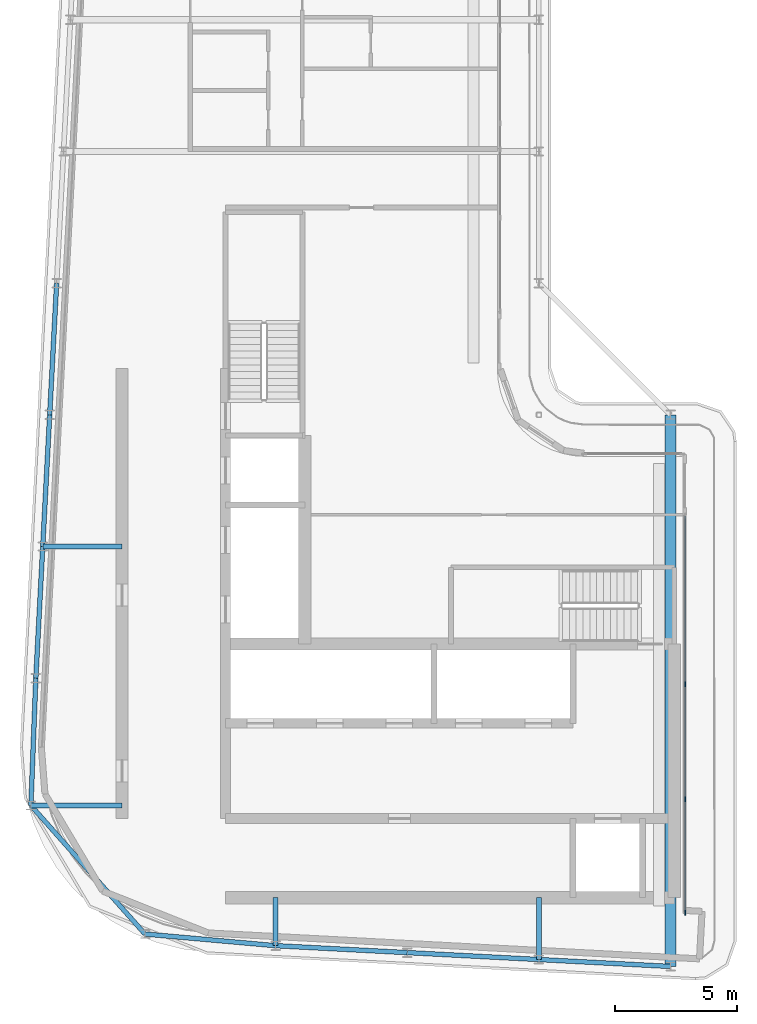
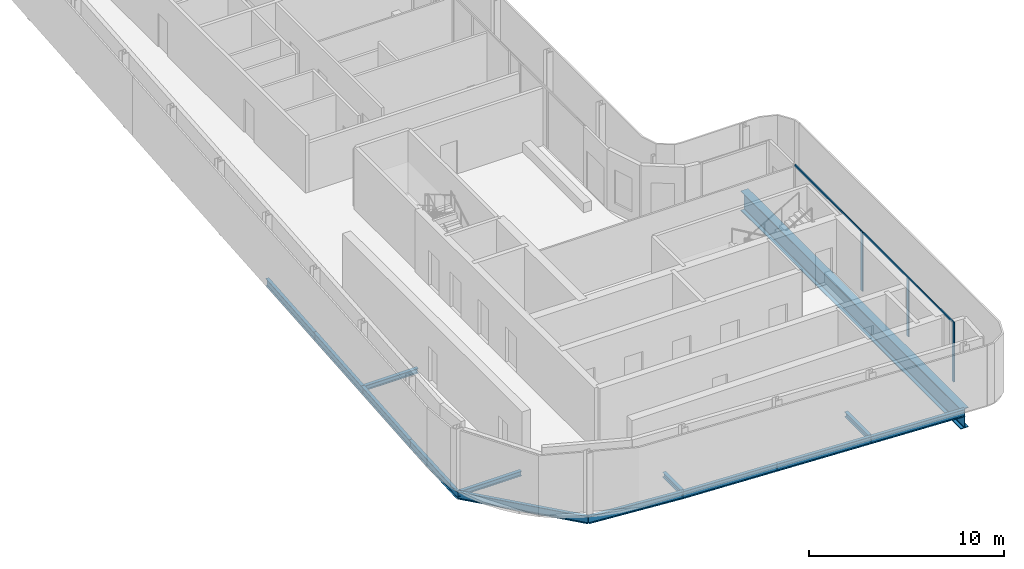
# One storey, part 4 of 18: 14 beams, 5 members, 2 elements without a shape of their own.
"""IFC4 building model written with IfcOpenShell, lengths in metres."""

from ifc_helpers import new_model, si_unit, direction, frame, origin, origin_2d, place, context, subcontext, project, spatial, rectangle, i_section, extrude, material, layer, layer_set, material_profile, profile_set, type_object, element, aggregate, save


model = new_model("IFC4")

# Units and contexts
model_context = context("Model", 3, precision=1e-05, world=origin(), true_north=direction((0.0, 1.0)))
body_context = subcontext(model_context, "Body", "Model", "MODEL_VIEW")
ifc_project = project(units=[si_unit("LENGTHUNIT", "METRE"), si_unit("AREAUNIT", "SQUARE_METRE"), si_unit("VOLUMEUNIT", "CUBIC_METRE"), si_unit("PLANEANGLEUNIT", "RADIAN"), si_unit("MASSUNIT", "GRAM", prefix="KILO")], contexts=[model_context])

# Site, building, storey
site_placement = place(None, origin())
site = spatial("IfcSite", under=ifc_project, at=site_placement, CompositionType="ELEMENT")
building_placement = place(site_placement, origin())
building = spatial("IfcBuilding", under=site, at=building_placement, Name="Kheshtan School and Residences Tower", CompositionType="ELEMENT")
storey_placement = place(building_placement, frame((0.0, 0.0, 373.39990234375)))
storey = spatial("IfcBuildingStorey", under=building, at=storey_placement, Name="L88", CompositionType="ELEMENT", Elevation=373.39990234375)

# Beams
ifc_material_1 = material(Name="Steel ASTM A992 Grade 50", Category="steel")
ifc_material_profile_1 = material_profile(ifc_material_1, i_section(OverallWidth=0.202880859375, OverallDepth=0.302978515625, WebThickness=0.007568359375, FlangeThickness=0.01318359375, FilletRadius=0.009033203125, at=origin_2d()), Name="W310x60")
ifc_profile_set_1 = profile_set([ifc_material_profile_1], Name="Steel ASTM A992 Grade 50")
beam_type_1 = type_object("IfcBeamType", Name="Beam FB1 W310x60 ASTM A992 Grade 50", PredefinedType="BEAM", material=ifc_profile_set_1)
beam_1_placement = place(storey_placement, frame((47.60009765625, 23.263916015625, -0.301513671875), z_axis=(0.0, 1.0, 0.0), x_axis=(-1.0, 0.0, 0.0)))
element("IfcBeam", 1, at=beam_1_placement, inside=storey, type_object=beam_type_1, Name="Floor beam C020", PredefinedType="BEAM", context=body_context, shape_type="SweptSolid", body=[
    extrude(i_section(OverallWidth=0.202880859375, OverallDepth=0.302978515625, WebThickness=0.007568359375, FlangeThickness=0.01318359375, FilletRadius=0.009033203125, at=origin_2d()), origin(), (0.0, 0.0, 1.0), 2.5361328125),
])
beam_2_placement = place(storey_placement, frame((36.800048828125, 23.83203125, -0.301513671875), z_axis=(0.0, 1.0, 0.0), x_axis=(-1.0, 0.0, 0.0)))
element("IfcBeam", 2, at=beam_2_placement, inside=storey, type_object=beam_type_1, Name="Floor beam C022", PredefinedType="BEAM", context=body_context, shape_type="SweptSolid", body=[
    extrude(i_section(OverallWidth=0.202880859375, OverallDepth=0.302978515625, WebThickness=0.007568359375, FlangeThickness=0.01318359375, FilletRadius=0.009033203125, at=origin_2d()), origin(), (0.0, 0.0, 1.0), 1.968017578125),
])
beam_3_placement = place(storey_placement, frame((26.76708984375, 29.58203125, -0.301513671875), z_axis=(1.0, 0.0, 0.0), x_axis=(0.0, 1.0, 0.0)))
element("IfcBeam", 3, at=beam_3_placement, inside=storey, type_object=beam_type_1, Name="Floor beam C048", PredefinedType="BEAM", context=body_context, shape_type="SweptSolid", body=[
    extrude(i_section(OverallWidth=0.202880859375, OverallDepth=0.302978515625, WebThickness=0.007568359375, FlangeThickness=0.01318359375, FilletRadius=0.009033203125, at=origin_2d()), origin(), (0.0, 0.0, 1.0), 3.73291015625),
])
beam_4_placement = place(storey_placement, frame((27.2529296875, 40.199951171875, -0.301513671875), z_axis=(1.0, 0.0, 0.0), x_axis=(0.0, 1.0, 0.0)))
element("IfcBeam", 4, at=beam_4_placement, inside=storey, type_object=beam_type_1, Name="Floor beam C056", PredefinedType="BEAM", context=body_context, shape_type="SweptSolid", body=[
    extrude(i_section(OverallWidth=0.202880859375, OverallDepth=0.302978515625, WebThickness=0.007568359375, FlangeThickness=0.01318359375, FilletRadius=0.009033203125, at=origin_2d()), origin(), (0.0, 0.0, 1.0), 3.2470703125),
])
ifc_material_profile_2 = material_profile(ifc_material_1, i_section(OverallWidth=0.18994140625, OverallDepth=0.45703125, WebThickness=0.009033203125, FlangeThickness=0.014404296875, FilletRadius=0.01318359375, at=origin_2d()), Name="W460x74")
ifc_profile_set_2 = profile_set([ifc_material_profile_2], Name="Steel ASTM A992 Grade 50")
beam_type_2 = type_object("IfcBeamType", Name="Beam SP4 W460x74 ASTM A992 Grade 50", PredefinedType="BEAM", material=ifc_profile_set_2)
beam_5_placement = place(storey_placement, frame((53.0, 22.97998046875, -0.37841796875), z_axis=(-0.998620447272, 0.05250906864, 0.0), x_axis=(-0.05250906864, -0.998620447272, 0.0)))
element("IfcBeam", 5, at=beam_5_placement, inside=storey, type_object=beam_type_2, Name="Spandrel beam C019-C020", PredefinedType="BEAM", context=body_context, shape_type="SweptSolid", body=[
    extrude(i_section(OverallWidth=0.18994140625, OverallDepth=0.45703125, WebThickness=0.009033203125, FlangeThickness=0.014404296875, FilletRadius=0.01318359375, at=origin_2d()), origin(), (0.0, 0.0, 1.0), 5.407470703125),
])
beam_6_placement = place(storey_placement, frame((47.60009765625, 23.263916015625, -0.37841796875), z_axis=(-0.998618203458, 0.052551724256, 0.0), x_axis=(-0.052551724256, -0.998618203458, 0.0)))
element("IfcBeam", 6, at=beam_6_placement, inside=storey, type_object=beam_type_2, Name="Spandrel beam C020-C021", PredefinedType="BEAM", context=body_context, shape_type="SweptSolid", body=[
    extrude(i_section(OverallWidth=0.18994140625, OverallDepth=0.45703125, WebThickness=0.009033203125, FlangeThickness=0.014404296875, FilletRadius=0.01318359375, at=origin_2d()), origin(), (0.0, 0.0, 1.0), 5.40771484375),
])
beam_7_placement = place(storey_placement, frame((42.199951171875, 23.548095703125, -0.37841796875), z_axis=(-0.998620447272, 0.05250906864, 0.0), x_axis=(-0.05250906864, -0.998620447272, 0.0)))
element("IfcBeam", 7, at=beam_7_placement, inside=storey, type_object=beam_type_2, Name="Spandrel beam C021-C022", PredefinedType="BEAM", context=body_context, shape_type="SweptSolid", body=[
    extrude(i_section(OverallWidth=0.18994140625, OverallDepth=0.45703125, WebThickness=0.009033203125, FlangeThickness=0.014404296875, FilletRadius=0.01318359375, at=origin_2d()), origin(), (0.0, 0.0, 1.0), 5.407470703125),
])
beam_8_placement = place(storey_placement, frame((36.800048828125, 23.83203125, -0.37841796875), z_axis=(-0.996036411806, 0.088946424077, 0.0), x_axis=(-0.088946424077, -0.996036411806, 0.0)))
element("IfcBeam", 8, at=beam_8_placement, inside=storey, type_object=beam_type_2, Name="Spandrel beam C022-C034", PredefinedType="BEAM", context=body_context, shape_type="SweptSolid", body=[
    extrude(i_section(OverallWidth=0.18994140625, OverallDepth=0.45703125, WebThickness=0.009033203125, FlangeThickness=0.014404296875, FilletRadius=0.01318359375, at=origin_2d()), origin(), (0.0, 0.0, 1.0), 5.374267578125),
])
beam_9_placement = place(storey_placement, frame((31.447021484375, 24.31005859375, -0.37841796875), z_axis=(-0.663867136248, 0.747850536812, 0.0), x_axis=(-0.747850536812, -0.663867136248, 0.0)))
element("IfcBeam", 9, at=beam_9_placement, inside=storey, type_object=beam_type_2, Name="Spandrel beam C034-C048", PredefinedType="BEAM", context=body_context, shape_type="SweptSolid", body=[
    extrude(i_section(OverallWidth=0.18994140625, OverallDepth=0.45703125, WebThickness=0.009033203125, FlangeThickness=0.014404296875, FilletRadius=0.01318359375, at=origin_2d()), origin(), (0.0, 0.0, 1.0), 7.049560546875),
])
beam_10_placement = place(storey_placement, frame((26.76708984375, 29.58203125, -0.37841796875), z_axis=(0.038664745323, 0.999252239161, 0.0), x_axis=(-0.999252239161, 0.038664745323, 0.0)))
element("IfcBeam", 10, at=beam_10_placement, inside=storey, type_object=beam_type_2, Name="Spandrel beam C048-C052", PredefinedType="BEAM", context=body_context, shape_type="SweptSolid", body=[
    extrude(i_section(OverallWidth=0.18994140625, OverallDepth=0.45703125, WebThickness=0.009033203125, FlangeThickness=0.014404296875, FilletRadius=0.01318359375, at=origin_2d()), origin(), (0.0, 0.0, 1.0), 5.221923828125),
])
beam_11_placement = place(storey_placement, frame((26.968994140625, 34.800048828125, -0.37841796875), z_axis=(0.05250906864, 0.998620447272, 0.0), x_axis=(-0.998620447272, 0.05250906864, 0.0)))
element("IfcBeam", 11, at=beam_11_placement, inside=storey, type_object=beam_type_2, Name="Spandrel beam C052-C056", PredefinedType="BEAM", context=body_context, shape_type="SweptSolid", body=[
    extrude(i_section(OverallWidth=0.18994140625, OverallDepth=0.45703125, WebThickness=0.009033203125, FlangeThickness=0.014404296875, FilletRadius=0.01318359375, at=origin_2d()), origin(), (0.0, 0.0, 1.0), 5.407470703125),
])
beam_12_placement = place(storey_placement, frame((27.2529296875, 40.199951171875, -0.37841796875), z_axis=(0.052551724256, 0.998618203458, 0.0), x_axis=(-0.998618203458, 0.052551724256, 0.0)))
element("IfcBeam", 12, at=beam_12_placement, inside=storey, type_object=beam_type_2, Name="Spandrel beam C056-C059", PredefinedType="BEAM", context=body_context, shape_type="SweptSolid", body=[
    extrude(i_section(OverallWidth=0.18994140625, OverallDepth=0.45703125, WebThickness=0.009033203125, FlangeThickness=0.014404296875, FilletRadius=0.01318359375, at=origin_2d()), origin(), (0.0, 0.0, 1.0), 5.40771484375),
])
beam_13_placement = place(storey_placement, frame((27.537109375, 45.60009765625, -0.37841796875), z_axis=(0.052689166816, 0.998610961136, 0.0), x_axis=(-0.998610961136, 0.052689166816, 0.0)))
element("IfcBeam", 13, at=beam_13_placement, inside=storey, type_object=beam_type_2, Name="Spandrel beam C059-C078", PredefinedType="BEAM", context=body_context, shape_type="SweptSolid", body=[
    extrude(i_section(OverallWidth=0.18994140625, OverallDepth=0.45703125, WebThickness=0.009033203125, FlangeThickness=0.014404296875, FilletRadius=0.01318359375, at=origin_2d()), origin(), (0.0, 0.0, 1.0), 5.407470703125),
])

# Curtain wall, member
ifc_material_2 = material(Name="Clear low-e glass in thermally broken aluminium frame", Category="aluminium")
ifc_layer = layer(ifc_material_2, 0.199951171875)
ifc_layer_set = layer_set([ifc_layer], Name="Curtain wall CW-L")
curtain_wall_type = type_object("IfcCurtainWallType", Name="Curtain wall CW-L", PredefinedType="NOTDEFINED", material=ifc_layer_set)
curtain_wall_1_placement = place(storey_placement, origin())
curtain_wall_1 = element("IfcCurtainWall", 14, at=curtain_wall_1_placement, inside=storey, type_object=curtain_wall_type, Name="Curtain wall CWL13h", PredefinedType="NOTDEFINED")
ifc_material_3 = material(Name="Thermally broken aluminium, dark bronze anodised", Category="aluminium")
ifc_material_profile_3 = material_profile(ifc_material_3, rectangle(XDim=0.06005859375, YDim=0.199951171875, at=origin_2d()), Name="CW-L mullion 60x200")
ifc_profile_set_3 = profile_set([ifc_material_profile_3], Name="Thermally broken aluminium, dark bronze anodised")
member_type_1 = type_object("IfcMemberType", Name="CW-L mullion 60x200", PredefinedType="MULLION", material=ifc_profile_set_3)
member_1_placement = place(storey_placement, frame((53.60009765625, 34.55810546875, 0.0), z_axis=(0.0, 0.0, 1.0), x_axis=(1.0, 0.0, 0.0)))
member_1 = element("IfcMember", 15, at=member_1_placement, type_object=member_type_1, Name="CWL13h mullion 2", PredefinedType="MULLION", context=body_context, shape_type="SweptSolid", body=[
    extrude(rectangle(XDim=0.06005859375, YDim=0.199951171875, at=origin_2d()), origin(), (0.0, 0.0, 1.0), 3.75),
])

# Curtain wall, members
curtain_wall_2_placement = place(storey_placement, origin())
curtain_wall_2 = element("IfcCurtainWall", 16, at=curtain_wall_2_placement, inside=storey, type_object=curtain_wall_type, Name="Curtain wall CWL13i", PredefinedType="NOTDEFINED")
member_2_placement = place(storey_placement, frame((53.60009765625, 29.842041015625, 0.0), z_axis=(0.0, 0.0, 1.0), x_axis=(1.0, 0.0, 0.0)))
member_2 = element("IfcMember", 17, at=member_2_placement, type_object=member_type_1, Name="CWL13i mullion 2", PredefinedType="MULLION", context=body_context, shape_type="SweptSolid", body=[
    extrude(rectangle(XDim=0.06005859375, YDim=0.199951171875, at=origin_2d()), origin(), (0.0, 0.0, 1.0), 3.630126953125),
])
member_3_placement = place(storey_placement, frame((53.60009765625, 25.18603515625, 0.0), z_axis=(0.0, 0.0, 1.0), x_axis=(1.0, 0.0, 0.0)))
member_3 = element("IfcMember", 18, at=member_3_placement, type_object=member_type_1, Name="CWL13i mullion 3", PredefinedType="MULLION", context=body_context, shape_type="SweptSolid", body=[
    extrude(rectangle(XDim=0.06005859375, YDim=0.199951171875, at=origin_2d()), origin(), (0.0, 0.0, 1.0), 3.75),
])

# Member
ifc_material_profile_4 = material_profile(ifc_material_3, rectangle(XDim=0.06005859375, YDim=0.1201171875, at=origin_2d()), Name="CW-L transom 60x120")
ifc_profile_set_4 = profile_set([ifc_material_profile_4], Name="Thermally broken aluminium, dark bronze anodised")
member_type_2 = type_object("IfcMemberType", Name="CW-L transom 60x120", PredefinedType="USERDEFINED", material=ifc_profile_set_4)
member_4_placement = place(storey_placement, frame((53.60009765625, 41.43994140625, 3.690185546875), z_axis=(0.0, -1.0, 0.0), x_axis=(1.0, 0.0, 0.0)))
member_4 = element("IfcMember", 19, at=member_4_placement, type_object=member_type_2, Name="CWL13h transom 1", ObjectType="TRANSOM", PredefinedType="USERDEFINED", context=body_context, shape_type="SweptSolid", body=[
    extrude(rectangle(XDim=0.06005859375, YDim=0.1201171875, at=origin_2d()), origin(), (0.0, 0.0, 1.0), 6.85205078125),
])

aggregate(curtain_wall_1, [member_1, member_4])

member_5_placement = place(storey_placement, frame((53.60009765625, 34.528076171875, 3.690185546875), z_axis=(0.0, -1.0, 0.0), x_axis=(1.0, 0.0, 0.0)))
member_5 = element("IfcMember", 20, at=member_5_placement, type_object=member_type_2, Name="CWL13i transom 1", ObjectType="TRANSOM", PredefinedType="USERDEFINED", context=body_context, shape_type="SweptSolid", body=[
    extrude(rectangle(XDim=0.06005859375, YDim=0.1201171875, at=origin_2d()), origin(), (0.0, 0.0, 1.0), 9.31201171875),
])

aggregate(curtain_wall_2, [member_2, member_3, member_5])

# Beam
ifc_material_profile_5 = material_profile(ifc_material_1, i_section(OverallWidth=0.449951171875, OverallDepth=1.25, WebThickness=0.02490234375, FlangeThickness=0.044921875, FilletRadius=0.03759765625, at=origin_2d()), Name="WWF1250x546")
ifc_profile_set_5 = profile_set([ifc_material_profile_5], Name="Steel ASTM A992 Grade 50")
beam_type_3 = type_object("IfcBeamType", Name="Transfer girder TG4 WWF1250x546 ASTM A992 Grade 50", PredefinedType="BEAM", material=ifc_profile_set_5)
beam_14_placement = place(storey_placement, frame((53.0, 45.60009765625, -0.77490234375), z_axis=(0.0, -1.0, 0.0), x_axis=(1.0, 0.0, 0.0)))
element("IfcBeam", 21, at=beam_14_placement, inside=storey, type_object=beam_type_3, Name="Transfer girder C061-C019", PredefinedType="BEAM", context=body_context, shape_type="SweptSolid", body=[
    extrude(i_section(OverallWidth=0.449951171875, OverallDepth=1.25, WebThickness=0.02490234375, FlangeThickness=0.044921875, FilletRadius=0.03759765625, at=origin_2d()), origin(), (0.0, 0.0, 1.0), 22.6201171875),
])

save(model, "model.ifc")
